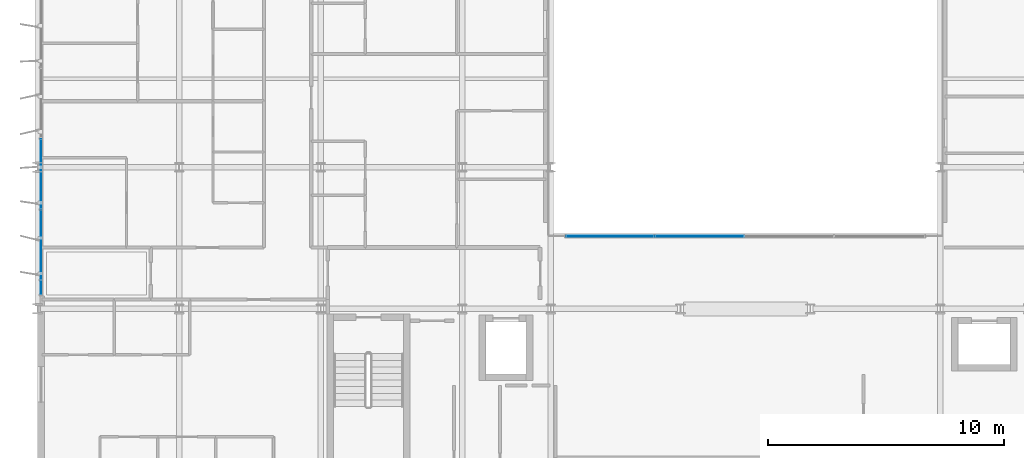
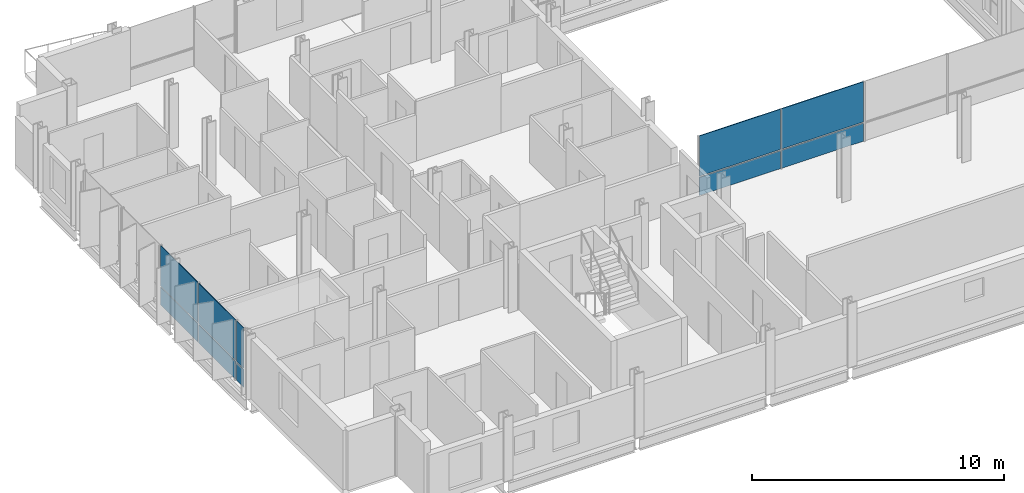
# One storey, part 22 of 38: 10 plates, 2 elements without a shape of their own.
"""IFC4 building model written with IfcOpenShell, lengths in metres."""

from ifc_helpers import new_model, si_unit, direction, frame, origin, origin_2d, place, context, subcontext, project, spatial, rectangle, extrude, material, layer, layer_set, type_object, element, aggregate, save


model = new_model("IFC4")

# Units and contexts
model_context = context("Model", 3, precision=1e-05, world=origin(), true_north=direction((0.0, 1.0)))
body_context = subcontext(model_context, "Body", "Model", "MODEL_VIEW")
ifc_project = project(units=[si_unit("LENGTHUNIT", "METRE"), si_unit("AREAUNIT", "SQUARE_METRE"), si_unit("VOLUMEUNIT", "CUBIC_METRE"), si_unit("PLANEANGLEUNIT", "RADIAN"), si_unit("MASSUNIT", "GRAM", prefix="KILO")], contexts=[model_context])

# Site, building, storey
site_placement = place(None, origin())
site = spatial("IfcSite", under=ifc_project, at=site_placement, CompositionType="ELEMENT")
building_placement = place(site_placement, origin())
building = spatial("IfcBuilding", under=site, at=building_placement, Name="Brevholm Reach", CompositionType="ELEMENT")
storey_placement = place(building_placement, frame((0.0, 0.0, 128.300048828125)))
storey = spatial("IfcBuildingStorey", under=building, at=storey_placement, Name="L38", CompositionType="ELEMENT", Elevation=128.300048828125)

# Curtain wall, plates
ifc_material_1 = material(Name="Dark Anodised Aluminium 6063-T6 and Solar-Control Glass", Category="aluminium")
ifc_layer_1 = layer(ifc_material_1, 0.14990234375)
ifc_layer_set_1 = layer_set([ifc_layer_1], Name="Dark Anodised Aluminium 6063-T6 and Solar-Control Glass")
curtain_wall_type_1 = type_object("IfcCurtainWallType", Name="CW-01", PredefinedType="NOTDEFINED", material=ifc_layer_set_1)
curtain_wall_1_placement = place(storey_placement, origin())
curtain_wall_1 = element("IfcCurtainWall", 1, at=curtain_wall_1_placement, inside=storey, type_object=curtain_wall_type_1, Name="L38 Curtain Wall CW-01", PredefinedType="NOTDEFINED")
ifc_material_2 = material(Name="Dark Solar-Control Double-Glazed IGU Glass", Category="glass")
ifc_layer_2 = layer(ifc_material_2, 0.028076171875)
ifc_layer_set_2 = layer_set([ifc_layer_2], Name="Dark Solar-Control Double-Glazed IGU Glass")
plate_type_1 = type_object("IfcPlateType", Name="CWP-GLZ-28", PredefinedType="CURTAIN_PANEL", material=ifc_layer_set_2)
plate_1_placement = place(storey_placement, frame((0.14990234375, 15.719970703125, 0.0), z_axis=(0.0, 0.0, 1.0), x_axis=(0.0, -1.0, 0.0)))
plate_1 = element("IfcPlate", 2, at=plate_1_placement, type_object=plate_type_1, Name="CP-01 Glazing Panel 3.1", PredefinedType="CURTAIN_PANEL", context=body_context, shape_type="SweptSolid", body=[
    extrude(rectangle(XDim=2.93505859375, YDim=0.028076171875, at=origin_2d()), origin(), (0.0, 0.0, 1.0), 0.867431640625),
])
plate_2_placement = place(storey_placement, frame((0.14990234375, 15.719970703125, 0.9326171875), z_axis=(0.0, 0.0, 1.0), x_axis=(0.0, -1.0, 0.0)))
plate_2 = element("IfcPlate", 3, at=plate_2_placement, type_object=plate_type_1, Name="CP-01 Glazing Panel 3.2", PredefinedType="CURTAIN_PANEL", context=body_context, shape_type="SweptSolid", body=[
    extrude(rectangle(XDim=2.93505859375, YDim=0.028076171875, at=origin_2d()), origin(), (0.0, 0.0, 1.0), 1.947509765625),
])
plate_3_placement = place(storey_placement, frame((0.14990234375, 12.719970703125, 0.0), z_axis=(0.0, 0.0, 1.0), x_axis=(0.0, -1.0, 0.0)))
plate_3 = element("IfcPlate", 4, at=plate_3_placement, type_object=plate_type_1, Name="CP-01 Glazing Panel 4.1", PredefinedType="CURTAIN_PANEL", context=body_context, shape_type="SweptSolid", body=[
    extrude(rectangle(XDim=2.93505859375, YDim=0.028076171875, at=origin_2d()), origin(), (0.0, 0.0, 1.0), 0.867431640625),
])
plate_4_placement = place(storey_placement, frame((0.14990234375, 12.719970703125, 0.9326171875), z_axis=(0.0, 0.0, 1.0), x_axis=(0.0, -1.0, 0.0)))
plate_4 = element("IfcPlate", 5, at=plate_4_placement, type_object=plate_type_1, Name="CP-01 Glazing Panel 4.2", PredefinedType="CURTAIN_PANEL", context=body_context, shape_type="SweptSolid", body=[
    extrude(rectangle(XDim=2.93505859375, YDim=0.028076171875, at=origin_2d()), origin(), (0.0, 0.0, 1.0), 1.947509765625),
])
plate_5_placement = place(storey_placement, frame((0.14990234375, 10.9013671875, 0.0), z_axis=(0.0, 0.0, 1.0), x_axis=(0.0, -1.0, 0.0)))
plate_5 = element("IfcPlate", 6, at=plate_5_placement, type_object=plate_type_1, Name="CP-01 Glazing Panel 5.1", PredefinedType="CURTAIN_PANEL", context=body_context, shape_type="SweptSolid", body=[
    extrude(rectangle(XDim=0.572509765625, YDim=0.028076171875, at=origin_2d()), origin(), (0.0, 0.0, 1.0), 0.867431640625),
])
plate_6_placement = place(storey_placement, frame((0.14990234375, 10.9013671875, 0.9326171875), z_axis=(0.0, 0.0, 1.0), x_axis=(0.0, -1.0, 0.0)))
plate_6 = element("IfcPlate", 7, at=plate_6_placement, type_object=plate_type_1, Name="CP-01 Glazing Panel 5.2", PredefinedType="CURTAIN_PANEL", context=body_context, shape_type="SweptSolid", body=[
    extrude(rectangle(XDim=0.572509765625, YDim=0.028076171875, at=origin_2d()), origin(), (0.0, 0.0, 1.0), 1.947509765625),
])
aggregate(curtain_wall_1, [plate_1, plate_2, plate_3, plate_4, plate_5, plate_6])

ifc_material_3 = material(Name="Dark Anodised Aluminium 6063-T6 and Solar-Control Glass", Category="aluminium")
ifc_layer_3 = layer(ifc_material_3, 0.139892578125)
ifc_layer_set_3 = layer_set([ifc_layer_3], Name="Dark Anodised Aluminium 6063-T6 and Solar-Control Glass")
curtain_wall_type_2 = type_object("IfcCurtainWallType", Name="CW-02", PredefinedType="NOTDEFINED", material=ifc_layer_set_3)
curtain_wall_2_placement = place(storey_placement, origin())
curtain_wall_2 = element("IfcCurtainWall", 8, at=curtain_wall_2_placement, inside=storey, type_object=curtain_wall_type_2, Name="L38 Curtain Wall CW-02", PredefinedType="NOTDEFINED")
ifc_material_4 = material(Name="Low-Iron Laminated Acoustic Glass", Category="glass")
ifc_layer_4 = layer(ifc_material_4, 0.035888671875)
ifc_layer_set_4 = layer_set([ifc_layer_4], Name="Low-Iron Laminated Acoustic Glass")
plate_type_2 = type_object("IfcPlateType", Name="CWP-GLZ-36", PredefinedType="CURTAIN_PANEL", material=ifc_layer_set_4)
plate_7_placement = place(storey_placement, frame((24.264892578125, 13.080078125, 0.0), z_axis=(0.0, 0.0, 1.0), x_axis=(1.0, 0.0, 0.0)))
plate_7 = element("IfcPlate", 9, at=plate_7_placement, type_object=plate_type_2, Name="CP-02 Glazing Panel 1.1", PredefinedType="CURTAIN_PANEL", context=body_context, shape_type="SweptSolid", body=[
    extrude(rectangle(XDim=3.7099609375, YDim=0.035888671875, at=origin_2d()), origin(), (0.0, 0.0, 1.0), 0.8701171875),
])
plate_8_placement = place(storey_placement, frame((24.264892578125, 13.080078125, 0.93017578125), z_axis=(0.0, 0.0, 1.0), x_axis=(1.0, 0.0, 0.0)))
plate_8 = element("IfcPlate", 10, at=plate_8_placement, type_object=plate_type_2, Name="CP-02 Glazing Panel 1.2", PredefinedType="CURTAIN_PANEL", context=body_context, shape_type="SweptSolid", body=[
    extrude(rectangle(XDim=3.7099609375, YDim=0.035888671875, at=origin_2d()), origin(), (0.0, 0.0, 1.0), 1.949951171875),
])
plate_9_placement = place(storey_placement, frame((28.050048828125, 13.080078125, 0.0), z_axis=(0.0, 0.0, 1.0), x_axis=(1.0, 0.0, 0.0)))
plate_9 = element("IfcPlate", 11, at=plate_9_placement, type_object=plate_type_2, Name="CP-02 Glazing Panel 2.1", PredefinedType="CURTAIN_PANEL", context=body_context, shape_type="SweptSolid", body=[
    extrude(rectangle(XDim=3.739990234375, YDim=0.035888671875, at=origin_2d()), origin(), (0.0, 0.0, 1.0), 0.8701171875),
])
plate_10_placement = place(storey_placement, frame((28.050048828125, 13.080078125, 0.93017578125), z_axis=(0.0, 0.0, 1.0), x_axis=(1.0, 0.0, 0.0)))
plate_10 = element("IfcPlate", 12, at=plate_10_placement, type_object=plate_type_2, Name="CP-02 Glazing Panel 2.2", PredefinedType="CURTAIN_PANEL", context=body_context, shape_type="SweptSolid", body=[
    extrude(rectangle(XDim=3.739990234375, YDim=0.035888671875, at=origin_2d()), origin(), (0.0, 0.0, 1.0), 1.949951171875),
])
aggregate(curtain_wall_2, [plate_7, plate_8, plate_9, plate_10])

save(model, "model.ifc")
